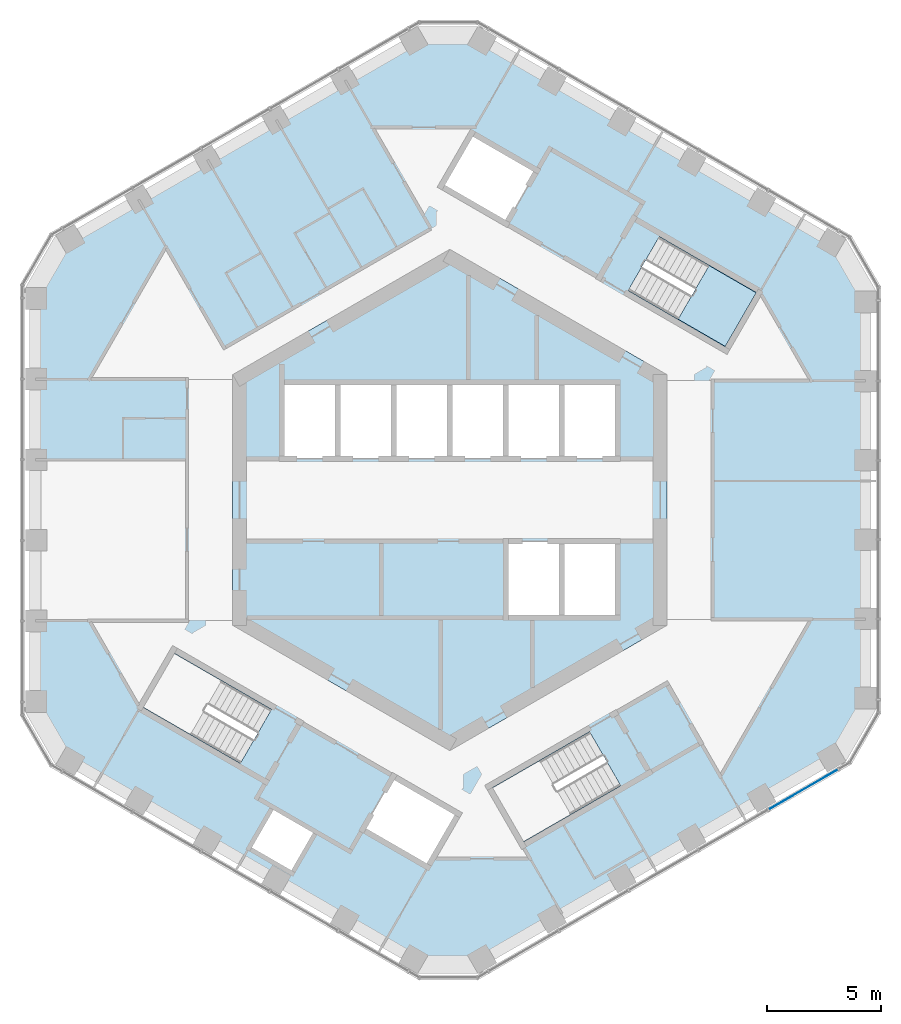
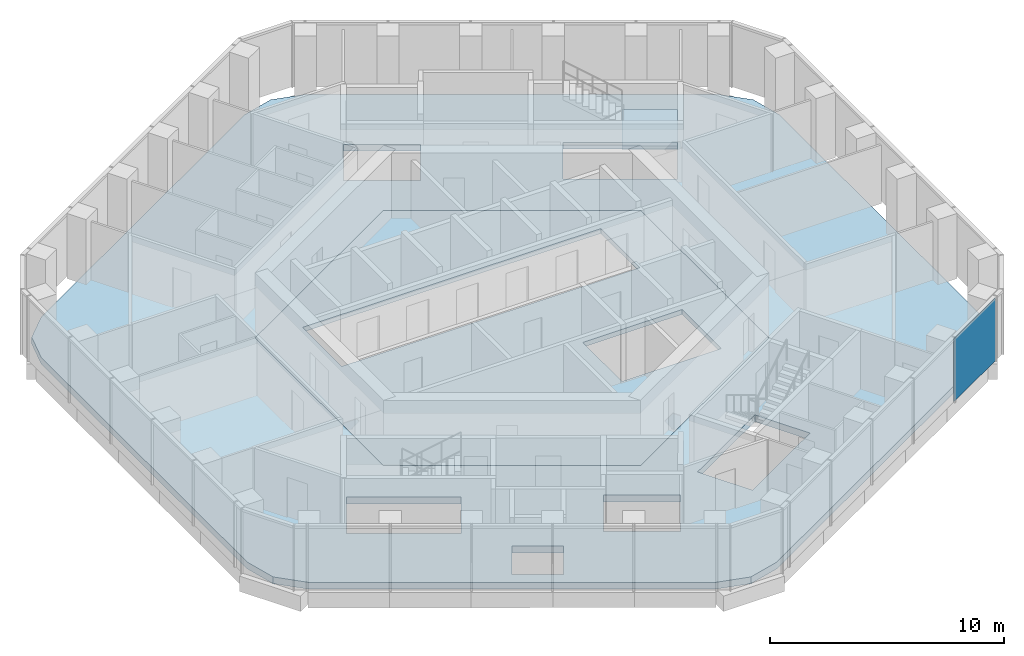
# One storey, part 11 of 19: 3 slabs, 1 plate, 2 elements without a shape of their own.
"""IFC4 building model written with IfcOpenShell, lengths in metres."""

from ifc_helpers import new_model, si_unit, direction, frame, origin, origin_2d, place, context, subcontext, project, spatial, polyline, rectangle, outline, extrude, material, layer, layer_set, type_object, element, aggregate, save


model = new_model("IFC4")

# Units and contexts
model_context = context("Model", 3, precision=1e-05, world=origin(), true_north=direction((0.0, 1.0)))
body_context = subcontext(model_context, "Body", "Model", "MODEL_VIEW")
ifc_project = project(units=[si_unit("LENGTHUNIT", "METRE"), si_unit("AREAUNIT", "SQUARE_METRE"), si_unit("VOLUMEUNIT", "CUBIC_METRE"), si_unit("PLANEANGLEUNIT", "RADIAN"), si_unit("MASSUNIT", "GRAM", prefix="KILO")], contexts=[model_context])

# Site, building, storey
site_placement = place(None, origin())
site = spatial("IfcSite", under=ifc_project, at=site_placement, CompositionType="ELEMENT")
building_placement = place(site_placement, origin())
building = spatial("IfcBuilding", under=site, at=building_placement, Name="Ayvan Gate Tower", CompositionType="ELEMENT")
storey_placement = place(building_placement, frame((0.0, 0.0, 156.10009765625)))
storey = spatial("IfcBuildingStorey", under=building, at=storey_placement, Name="L41", CompositionType="ELEMENT", Elevation=156.10009765625)

# Slabs
ifc_material_1 = material(Name="Concrete C40/50", Category="concrete")
ifc_layer_1 = layer(ifc_material_1, 0.35009765625)
ifc_layer_set_1 = layer_set([ifc_layer_1], Name="Concrete C40/50")
slab_type_1 = type_object("IfcSlabType", Name="Post-tensioned flat slab 350", PredefinedType="FLOOR", material=ifc_layer_set_1)
slab_1_placement = place(storey_placement, frame((0.0, 0.0, -0.35009765625)))
element("IfcSlab", 1, at=slab_1_placement, inside=storey, type_object=slab_type_1, Name="SL-L41", PredefinedType="FLOOR", context=body_context, shape_type="SweptSolid", body=[
    extrude(outline(polyline([(-0.059326171875, -20.501708984375), (-1.559326171875, -20.099609375), (-16.627197265625, -11.400390625), (-17.725341796875, -10.30224609375), (-18.127197265625, -8.80224609375), (-18.127197265625, 8.80224609375), (-17.725341796875, 10.30224609375), (-16.627197265625, 11.400390625), (-1.559326171875, 20.099609375), (-0.059326171875, 20.501708984375), (1.440673828125, 20.099609375), (16.6865234375, 11.297607421875), (17.78466796875, 10.199462890625), (18.1865234375, 8.699462890625), (18.1865234375, -8.699462890625), (17.78466796875, -10.199462890625), (16.6865234375, -11.297607421875), (1.440673828125, -20.099609375), (-0.059326171875, -20.501708984375)]), holes=[polyline([(13.404541015625, 9.0673828125), (9.1611328125, 11.517578125), (7.80615234375, 9.170654296875), (12.049560546875, 6.720458984375), (13.404541015625, 9.0673828125)]), polyline([(0.0, 10.9697265625), (-9.5, 5.48486328125), (-9.5, -5.48486328125), (0.0, -10.9697265625), (9.5, -5.48486328125), (9.5, 5.48486328125), (0.0, 10.9697265625)]), polyline([(3.228759765625, -14.9423828125), (7.472412109375, -12.492431640625), (6.117431640625, -10.1455078125), (1.873779296875, -12.595458984375), (3.228759765625, -14.9423828125)]), polyline([(0.964599609375, 16.07080078125), (-0.385498046875, 13.732421875), (2.472412109375, 12.08251953125), (3.822509765625, 14.420654296875), (0.964599609375, 16.07080078125)]), polyline([(0.385498046875, -13.732421875), (-2.472412109375, -12.08251953125), (-3.822509765625, -14.420654296875), (-0.964599609375, -16.07080078125), (-0.75146484375, -15.70166015625), (0.385498046875, -13.732421875)]), polyline([(-6.894775390625, -16.342041015625), (-5.8447265625, -14.5234375), (-7.75, -13.42333984375), (-8.800048828125, -15.241943359375), (-6.894775390625, -16.342041015625)]), polyline([(-7.80615234375, -9.170654296875), (-12.049560546875, -6.720458984375), (-13.404541015625, -9.0673828125), (-9.1611328125, -11.517578125), (-7.80615234375, -9.170654296875)])]), origin(), (0.0, 0.0, 1.0), 0.35009765625),
])
ifc_layer_2 = layer(ifc_material_1, 0.25)
ifc_layer_set_2 = layer_set([ifc_layer_2], Name="Concrete C40/50")
slab_type_2 = type_object("IfcSlabType", Name="SL-CORE-250", PredefinedType="FLOOR", material=ifc_layer_set_2)
slab_2_placement = place(storey_placement, frame((0.0, 0.0, -0.25)))
element("IfcSlab", 2, at=slab_2_placement, inside=storey, type_object=slab_type_2, Name="CS-L41", PredefinedType="FLOOR", context=body_context, shape_type="SweptSolid", body=[
    extrude(outline(polyline([(9.5, -5.48486328125), (0.0, -10.9697265625), (-9.5, -5.48486328125), (-9.5, 5.48486328125), (0.0, 10.9697265625), (9.5, 5.48486328125), (9.5, -5.48486328125)]), holes=[polyline([(-7.35009765625, 5.14990234375), (-7.35009765625, 1.800048828125), (7.35009765625, 1.800048828125), (7.35009765625, 5.14990234375), (-7.35009765625, 5.14990234375)]), polyline([(2.449951171875, -1.800048828125), (2.449951171875, -5.14990234375), (7.35009765625, -5.14990234375), (7.35009765625, -1.800048828125), (2.449951171875, -1.800048828125)])]), origin(), (0.0, 0.0, 1.0), 0.25),
])

# Stair, slab
stair_type = type_object("IfcStairType", Name="ST-EXIT", PredefinedType="HALF_TURN_STAIR", material=ifc_material_1)
stair_placement = place(storey_placement, origin())
stair = element("IfcStair", 3, at=stair_placement, inside=storey, type_object=stair_type, Name="L41 Exit Stair S1", PredefinedType="HALF_TURN_STAIR")
ifc_layer_3 = layer(ifc_material_1, 0.199951171875)
ifc_layer_set_3 = layer_set([ifc_layer_3], Name="Concrete C40/50")
slab_type_3 = type_object("IfcSlabType", Name="SL-LANDING-200", PredefinedType="LANDING", material=ifc_layer_set_3)
slab_3_placement = place(storey_placement, frame((0.0, 0.0, 1.5)))
slab_3 = element("IfcSlab", 4, at=slab_3_placement, type_object=slab_type_3, Name="STS1 landing 1", PredefinedType="LANDING", context=body_context, shape_type="SweptSolid", body=[
    extrude(outline(polyline([(9.988525390625, 7.91064453125), (12.049560546875, 6.720458984375), (13.404541015625, 9.0673828125), (11.343505859375, 10.257568359375), (9.988525390625, 7.91064453125)])), origin(), (0.0, 0.0, 1.0), 0.199951171875),
])
aggregate(stair, [slab_3])

# Curtain wall, plate
ifc_material_2 = material(Name="Bronze anodised aluminium", Category="aluminium")
ifc_layer_4 = layer(ifc_material_2, 0.199951171875)
ifc_layer_set_4 = layer_set([ifc_layer_4], Name="Bronze anodised aluminium")
curtain_wall_type = type_object("IfcCurtainWallType", Name="Stick curtain wall CW-2", PredefinedType="NOTDEFINED", material=ifc_layer_set_4)
curtain_wall_placement = place(storey_placement, origin())
curtain_wall = element("IfcCurtainWall", 5, at=curtain_wall_placement, inside=storey, type_object=curtain_wall_type, Name="Stick curtain wall CW-2 L41", PredefinedType="NOTDEFINED")
ifc_material_3 = material(Name="Clear low-iron laminated glass", Category="glass")
ifc_layer_5 = layer(ifc_material_3, 0.028076171875)
ifc_layer_set_5 = layer_set([ifc_layer_5], Name="Clear low-iron laminated glass")
plate_type = type_object("IfcPlateType", Name="Stick curtain wall CW-2 glass panel", PredefinedType="CURTAIN_PANEL", material=ifc_layer_set_5)
plate_placement = place(storey_placement, frame((15.48681640625, -12.654052734375, 0.0), z_axis=(0.0, 0.0, 1.0), x_axis=(0.866025403784, 0.5, 0.0)))
plate = element("IfcPlate", 6, at=plate_placement, type_object=plate_type, Name="CW-2 glass panel 5", PredefinedType="CURTAIN_PANEL", context=body_context, shape_type="SweptSolid", body=[
    extrude(rectangle(XDim=3.515869140625, YDim=0.028076171875, at=origin_2d()), origin(), (0.0, 0.0, 1.0), 3.280029296875),
])
aggregate(curtain_wall, [plate])

save(model, "model.ifc")
